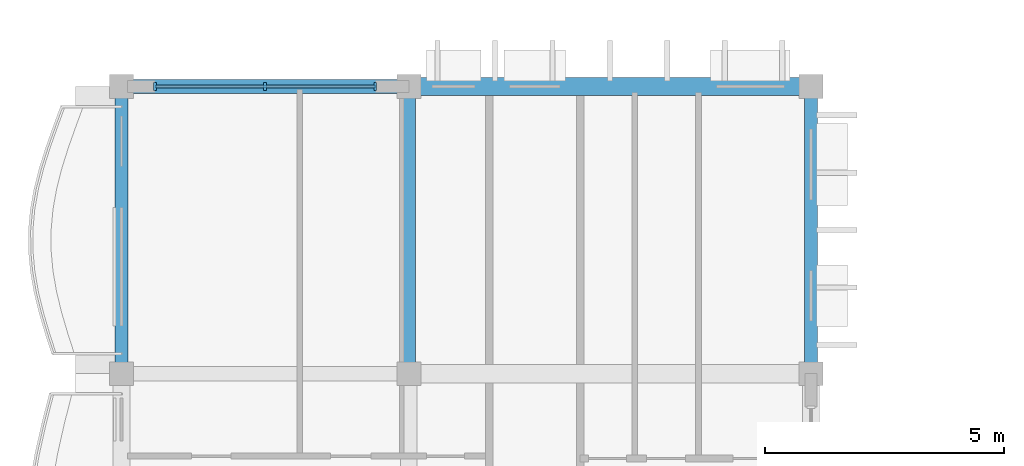
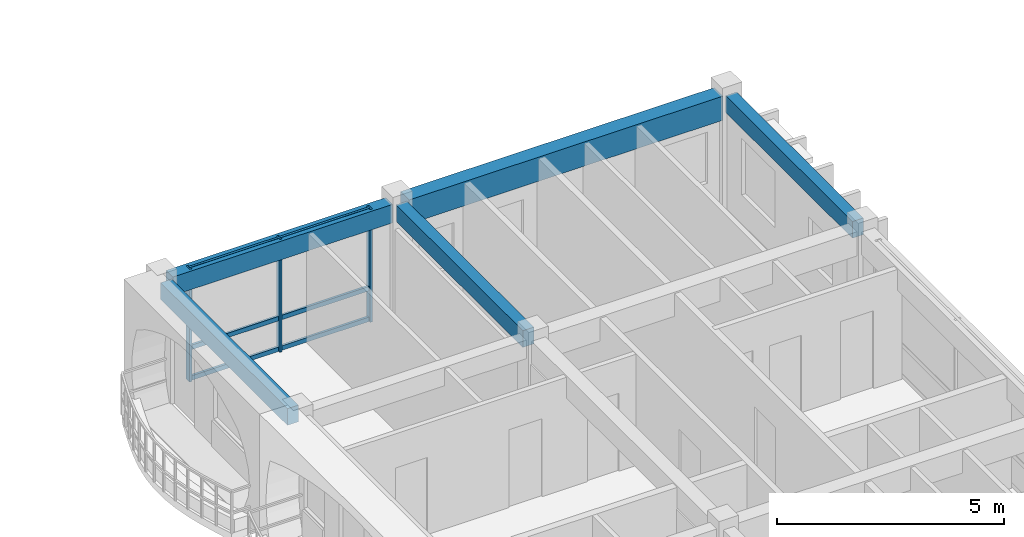
# One storey, part 7 of 54: 6 members, 5 beams, 1 element without a shape of its own.
"""IFC4 building model written with IfcOpenShell, lengths in metres."""

from ifc_helpers import new_model, si_unit, direction, frame, origin, origin_2d, place, context, subcontext, project, spatial, rectangle, extrude, material, material_profile, profile_set, type_object, element, aggregate, save


model = new_model("IFC4")

# Units and contexts
model_context = context("Model", 3, precision=1e-05, world=origin(), true_north=direction((0.0, 1.0)))
body_context = subcontext(model_context, "Body", "Model", "MODEL_VIEW")
ifc_project = project(units=[si_unit("LENGTHUNIT", "METRE"), si_unit("AREAUNIT", "SQUARE_METRE"), si_unit("VOLUMEUNIT", "CUBIC_METRE"), si_unit("PLANEANGLEUNIT", "RADIAN"), si_unit("MASSUNIT", "GRAM", prefix="KILO"), si_unit("THERMODYNAMICTEMPERATUREUNIT", "KELVIN")], contexts=[model_context])

# Site, building, storey
site_placement = place(None, origin())
site = spatial("IfcSite", under=ifc_project, at=site_placement, CompositionType="ELEMENT")
building_placement = place(site_placement, origin())
building = spatial("IfcBuilding", under=site, at=building_placement, Name="Thalorik Housing Commons", CompositionType="ELEMENT")
storey_placement = place(building_placement, frame((0.0, 0.0, 31.199951171875)))
storey = spatial("IfcBuildingStorey", under=building, at=storey_placement, Name="L09", CompositionType="ELEMENT", Elevation=31.199951171875)

# Curtain wall, members
ifc_material_1 = material(Name="Anodised aluminium and solar-control low-E glass", Category="aluminium")
curtain_wall_type = type_object("IfcCurtainWallType", Name="ARC-CW-LOUNGE", PredefinedType="USERDEFINED", material=ifc_material_1)
curtain_wall_placement = place(storey_placement, origin())
curtain_wall = element("IfcCurtainWall", 1, at=curtain_wall_placement, inside=storey, type_object=curtain_wall_type, Name="L09 Curtain Wall CW-RES-L09-C-165", ObjectType="CURTAIN WALL", PredefinedType="USERDEFINED")
ifc_material_2 = material(Name="Anodised aluminium 6063-T6", Category="aluminium")
ifc_material_profile_1 = material_profile(ifc_material_2, rectangle(XDim=0.06005859375, YDim=0.159912109375, at=origin_2d()), Name="ALU MUL 60x160", Category="aluminium")
ifc_profile_set_1 = profile_set([ifc_material_profile_1], Name="Anodised aluminium 6063-T6")
member_type_1 = type_object("IfcMemberType", Name="ARC-CW-MUL-60x160", PredefinedType="MULLION", material=ifc_profile_set_1)
member_1_placement = place(storey_placement, frame((13.699951171875, 43.199951171875, 0.0), z_axis=(0.0, 0.0, 1.0), x_axis=(-1.0, 0.0, 0.0)))
member_1 = element("IfcMember", 2, at=member_1_placement, type_object=member_type_1, Name="CW-RES-L09-C-165 Mullion 1", PredefinedType="MULLION", context=body_context, shape_type="SweptSolid", body=[
    extrude(rectangle(XDim=0.06005859375, YDim=0.159912109375, at=origin_2d()), origin(), (0.0, 0.0, 1.0), 3.0400390625),
])
member_2_placement = place(storey_placement, frame((11.39990234375, 43.199951171875, 0.0), z_axis=(0.0, 0.0, 1.0), x_axis=(-1.0, 0.0, 0.0)))
member_2 = element("IfcMember", 3, at=member_2_placement, type_object=member_type_1, Name="CW-RES-L09-C-165 Mullion 2", PredefinedType="MULLION", context=body_context, shape_type="SweptSolid", body=[
    extrude(rectangle(XDim=0.06005859375, YDim=0.159912109375, at=origin_2d()), origin(), (0.0, 0.0, 1.0), 3.0400390625),
])
member_3_placement = place(storey_placement, frame((9.10009765625, 43.199951171875, 0.0), z_axis=(0.0, 0.0, 1.0), x_axis=(-1.0, 0.0, 0.0)))
member_3 = element("IfcMember", 4, at=member_3_placement, type_object=member_type_1, Name="CW-RES-L09-C-165 Mullion 3", PredefinedType="MULLION", context=body_context, shape_type="SweptSolid", body=[
    extrude(rectangle(XDim=0.06005859375, YDim=0.159912109375, at=origin_2d()), origin(), (0.0, 0.0, 1.0), 3.0400390625),
])
ifc_material_profile_2 = material_profile(ifc_material_2, rectangle(XDim=0.06005859375, YDim=0.1201171875, at=origin_2d()), Name="ALU TRN 60x120", Category="aluminium")
ifc_profile_set_2 = profile_set([ifc_material_profile_2], Name="Anodised aluminium 6063-T6")
member_type_2 = type_object("IfcMemberType", Name="ARC-CW-TRN-60x120", PredefinedType="USERDEFINED", material=ifc_profile_set_2)
member_4_placement = place(storey_placement, frame((13.699951171875, 43.199951171875, 0.054931640625), z_axis=(-1.0, 0.0, 0.0), x_axis=(0.0, -1.0, 0.0)))
member_4 = element("IfcMember", 5, at=member_4_placement, type_object=member_type_2, Name="CW-RES-L09-C-165 Transom 1", ObjectType="TRANSOM", PredefinedType="USERDEFINED", context=body_context, shape_type="SweptSolid", body=[
    extrude(rectangle(XDim=0.06005859375, YDim=0.1201171875, at=origin_2d()), origin(), (0.0, 0.0, 1.0), 4.599853515625),
])
member_5_placement = place(storey_placement, frame((13.699951171875, 43.199951171875, 0.880126953125), z_axis=(-1.0, 0.0, 0.0), x_axis=(0.0, -1.0, 0.0)))
member_5 = element("IfcMember", 6, at=member_5_placement, type_object=member_type_2, Name="CW-RES-L09-C-165 Transom 2", ObjectType="TRANSOM", PredefinedType="USERDEFINED", context=body_context, shape_type="SweptSolid", body=[
    extrude(rectangle(XDim=0.06005859375, YDim=0.1201171875, at=origin_2d()), origin(), (0.0, 0.0, 1.0), 4.599853515625),
])
member_6_placement = place(storey_placement, frame((13.699951171875, 43.199951171875, 2.985107421875), z_axis=(-1.0, 0.0, 0.0), x_axis=(0.0, -1.0, 0.0)))
member_6 = element("IfcMember", 7, at=member_6_placement, type_object=member_type_2, Name="CW-RES-L09-C-165 Transom 3", ObjectType="TRANSOM", PredefinedType="USERDEFINED", context=body_context, shape_type="SweptSolid", body=[
    extrude(rectangle(XDim=0.06005859375, YDim=0.1201171875, at=origin_2d()), origin(), (0.0, 0.0, 1.0), 4.599853515625),
])
aggregate(curtain_wall, [member_1, member_2, member_3, member_4, member_5, member_6])

# Beams
ifc_material_3 = material(Name="Precast concrete C40/50", Category="concrete")
ifc_material_profile_3 = material_profile(ifc_material_3, rectangle(XDim=0.280029296875, YDim=0.449951171875, at=origin_2d()), Name="PC 280x450", Category="concrete")
ifc_profile_set_3 = profile_set([ifc_material_profile_3], Name="Precast concrete C40/50")
beam_type_1 = type_object("IfcBeamType", Name="STR-BM-PC280x450", PredefinedType="BEAM", material=ifc_profile_set_3)
for number, where, z_axis, x_axis, name in (
    (8, (8.39990234375, 37.39990234375, 2.81494140625), (0.0, 1.0, 0.0), (-1.0, 0.0, 0.0), "L09 Beam B-450"),
    (9, (14.39990234375, 37.39990234375, 2.81494140625), (0.0, 1.0, 0.0), (-1.0, 0.0, 0.0), "L09 Beam B-450"),
    (10, (22.800048828125, 37.39990234375, 2.81494140625), (0.0, 1.0, 0.0), (-1.0, 0.0, 0.0), "L09 Beam B-450"),
):
    element("IfcBeam", number, at=place(storey_placement, frame(where, z_axis=z_axis, x_axis=x_axis)), inside=storey, type_object=beam_type_1, Name=name, PredefinedType="BEAM", context=body_context, shape_type="SweptSolid", body=[
        extrude(rectangle(XDim=0.280029296875, YDim=0.449951171875, at=origin_2d()), origin(), (0.0, 0.0, 1.0), 5.60009765625),
    ])
ifc_material_profile_4 = material_profile(ifc_material_3, rectangle(XDim=0.300048828125, YDim=0.5, at=origin_2d()), Name="PC 300x500", Category="concrete")
ifc_profile_set_4 = profile_set([ifc_material_profile_4], Name="Precast concrete C40/50")
beam_type_2 = type_object("IfcBeamType", Name="STR-BM-PC300x500", PredefinedType="BEAM", material=ifc_profile_set_4)
beam_1_placement = place(storey_placement, frame((8.60009765625, 43.199951171875, 2.7900390625), z_axis=(1.0, 0.0, 0.0), x_axis=(0.0, 1.0, 0.0)))
element("IfcBeam", 11, at=beam_1_placement, inside=storey, type_object=beam_type_2, Name="L09 Beam B-500", PredefinedType="BEAM", context=body_context, shape_type="SweptSolid", body=[
    extrude(rectangle(XDim=0.300048828125, YDim=0.5, at=origin_2d()), origin(), (0.0, 0.0, 1.0), 5.599853515625),
])
ifc_material_profile_5 = material_profile(ifc_material_3, rectangle(XDim=0.3798828125, YDim=0.64990234375, at=origin_2d()), Name="PC 380x650", Category="concrete")
ifc_profile_set_5 = profile_set([ifc_material_profile_5], Name="Precast concrete C40/50")
beam_type_3 = type_object("IfcBeamType", Name="STR-BM-PC380x650", PredefinedType="BEAM", material=ifc_profile_set_5)
beam_2_placement = place(storey_placement, frame((14.60009765625, 43.199951171875, 2.715087890625), z_axis=(1.0, 0.0, 0.0), x_axis=(0.0, 1.0, 0.0)))
element("IfcBeam", 12, at=beam_2_placement, inside=storey, type_object=beam_type_3, Name="L09 Beam B-650", PredefinedType="BEAM", context=body_context, shape_type="SweptSolid", body=[
    extrude(rectangle(XDim=0.3798828125, YDim=0.64990234375, at=origin_2d()), origin(), (0.0, 0.0, 1.0), 8.0),
])

save(model, "model.ifc")
